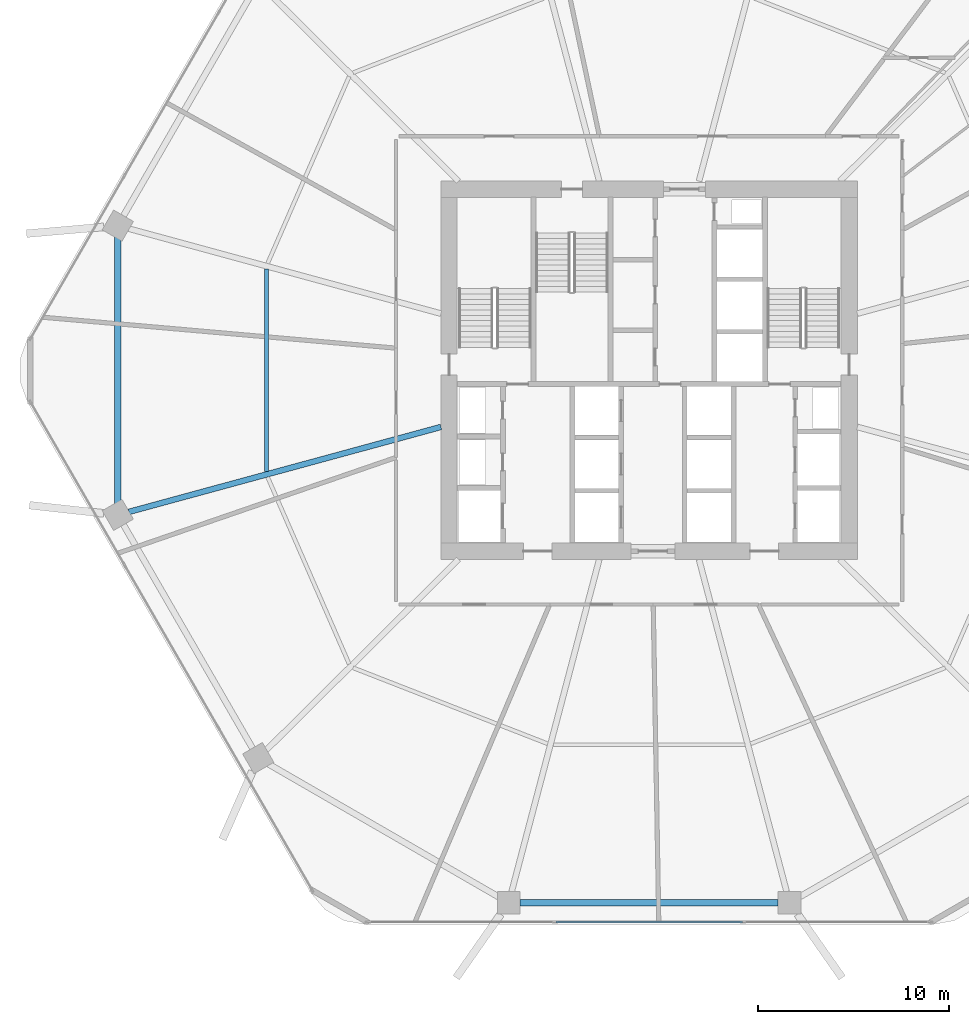
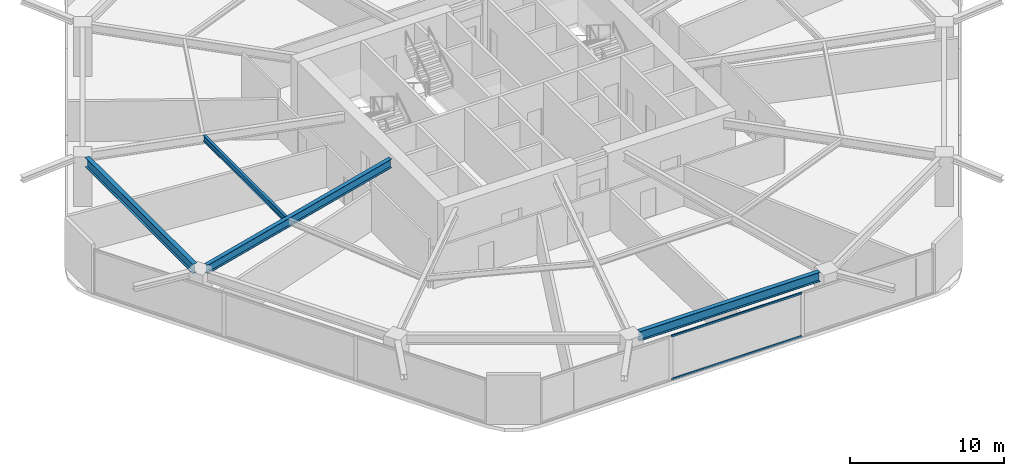
# One storey, part 6 of 25: 4 beams, 2 members, 1 element without a shape of its own.
"""IFC4 building model written with IfcOpenShell, lengths in metres."""

from ifc_helpers import new_model, si_unit, direction, frame, origin, origin_2d, place, context, subcontext, project, spatial, hollow_rectangle, i_section, extrude, material, material_profile, profile_set, type_object, element, aggregate, save


model = new_model("IFC4")

# Units and contexts
model_context = context("Model", 3, precision=1e-05, world=origin(), true_north=direction((0.0, 1.0)))
body_context = subcontext(model_context, "Body", "Model", "MODEL_VIEW")
ifc_project = project(units=[si_unit("LENGTHUNIT", "METRE"), si_unit("AREAUNIT", "SQUARE_METRE"), si_unit("VOLUMEUNIT", "CUBIC_METRE"), si_unit("PLANEANGLEUNIT", "RADIAN"), si_unit("MASSUNIT", "GRAM", prefix="KILO")], contexts=[model_context])

# Site, building, storey
site_placement = place(None, origin())
site = spatial("IfcSite", under=ifc_project, at=site_placement, CompositionType="ELEMENT")
building_placement = place(site_placement, origin())
building = spatial("IfcBuilding", under=site, at=building_placement, Name="Zuhravey Tower", CompositionType="ELEMENT")
storey_placement = place(building_placement, frame((0.0, 0.0, 54.0)))
storey = spatial("IfcBuildingStorey", under=building, at=storey_placement, Name="L13", CompositionType="ELEMENT", Elevation=54.0)

# Curtain wall, members
ifc_material_1 = material(Name="Thermally broken anodised aluminium", Category="aluminium")
curtain_wall_type = type_object("IfcCurtainWallType", Name="School Low-E Unitised Curtain Wall CW1", PredefinedType="NOTDEFINED", material=ifc_material_1)
curtain_wall_placement = place(storey_placement, origin())
curtain_wall = element("IfcCurtainWall", 1, at=curtain_wall_placement, inside=storey, type_object=curtain_wall_type, Name="L13 CW1 CW-L13-F5-1", PredefinedType="NOTDEFINED")
ifc_material_2 = material(Name="Anodised aluminium", Category="aluminium")
ifc_material_profile_1 = material_profile(ifc_material_2, hollow_rectangle(XDim=0.090087890625, YDim=0.14990234375, WallThickness=0.0048828125, at=origin_2d()), Name="ALU-RHS-90x150x5")
ifc_profile_set_1 = profile_set([ifc_material_profile_1], Name="Anodised aluminium")
member_type = type_object("IfcMemberType", Name="Curtain-Wall Transom 90x150", PredefinedType="USERDEFINED", material=ifc_profile_set_1)
member_1_placement = place(storey_placement, frame((40.88818359375, 3.04150390625, 0.044921875), z_axis=(-1.0, 0.0, 0.0), x_axis=(0.0, -1.0, 0.0)))
member_1 = element("IfcMember", 2, at=member_1_placement, type_object=member_type, Name="CW1 transom 2.1", ObjectType="TRANSOM", PredefinedType="USERDEFINED", context=body_context, shape_type="SweptSolid", body=[
    extrude(hollow_rectangle(XDim=0.090087890625, YDim=0.14990234375, WallThickness=0.0048828125, at=origin_2d()), origin(), (0.0, 0.0, 1.0), 9.7763671875),
])
member_2_placement = place(storey_placement, frame((40.88818359375, 3.04150390625, 3.447021484375), z_axis=(-1.0, 0.0, 0.0), x_axis=(0.0, -1.0, 0.0)))
member_2 = element("IfcMember", 3, at=member_2_placement, type_object=member_type, Name="CW1 transom 2.2", ObjectType="TRANSOM", PredefinedType="USERDEFINED", context=body_context, shape_type="SweptSolid", body=[
    extrude(hollow_rectangle(XDim=0.090087890625, YDim=0.14990234375, WallThickness=0.0048828125, at=origin_2d()), origin(), (0.0, 0.0, 1.0), 9.7763671875),
])
aggregate(curtain_wall, [member_1, member_2])

# Beams
ifc_material_3 = material(Name="Steel SM355", Category="steel")
ifc_material_profile_2 = material_profile(ifc_material_3, i_section(OverallWidth=0.320068359375, OverallDepth=0.75, WebThickness=0.013916015625, FlangeThickness=0.02490234375, at=origin_2d()), Name="H-750x320x14x25")
ifc_profile_set_2 = profile_set([ifc_material_profile_2], Name="Steel SM355")
beam_type_1 = type_object("IfcBeamType", Name="Perimeter Ring Beam H750x320", PredefinedType="BEAM", material=ifc_profile_set_2)
beam_1_placement = place(storey_placement, frame((8.11083984375, 38.988525390625, 3.544921875), z_axis=(0.0, -1.0, 0.0), x_axis=(1.0, 0.0, 0.0)))
element("IfcBeam", 4, at=beam_1_placement, inside=storey, type_object=beam_type_1, Name="L13 PB1 BM-L13-PB-06", PredefinedType="BEAM", context=body_context, shape_type="SweptSolid", body=[
    extrude(i_section(OverallWidth=0.320068359375, OverallDepth=0.75, WebThickness=0.013916015625, FlangeThickness=0.02490234375, at=origin_2d()), origin(), (0.0, 0.0, 1.0), 13.97705078125),
])
beam_2_placement = place(storey_placement, frame((29.23291015625, 4.051513671875, 3.544921875), z_axis=(1.0, 0.0, 0.0), x_axis=(0.0, 1.0, 0.0)))
element("IfcBeam", 5, at=beam_2_placement, inside=storey, type_object=beam_type_1, Name="L13 PB1 BM-L13-PB-09", PredefinedType="BEAM", context=body_context, shape_type="SweptSolid", body=[
    extrude(i_section(OverallWidth=0.320068359375, OverallDepth=0.75, WebThickness=0.013916015625, FlangeThickness=0.02490234375, at=origin_2d()), origin(), (0.0, 0.0, 1.0), 13.5341796875),
])
ifc_material_profile_3 = material_profile(ifc_material_3, i_section(OverallWidth=0.300048828125, OverallDepth=0.699951171875, WebThickness=0.012939453125, FlangeThickness=0.02392578125, at=origin_2d()), Name="H-700x300x13x24")
ifc_profile_set_3 = profile_set([ifc_material_profile_3], Name="Steel SM355")
beam_type_2 = type_object("IfcBeamType", Name="Radial Primary Girder H700x300", PredefinedType="BEAM", material=ifc_profile_set_3)
beam_3_placement = place(storey_placement, frame((25.072021484375, 29.025390625, 3.570068359375), z_axis=(-0.964892480455, -0.26264520015, 0.0), x_axis=(0.26264520015, -0.964892480455, 0.0)))
element("IfcBeam", 6, at=beam_3_placement, inside=storey, type_object=beam_type_2, Name="L13 RG1 BM-L13-RAD-07", PredefinedType="BEAM", context=body_context, shape_type="SweptSolid", body=[
    extrude(i_section(OverallWidth=0.300048828125, OverallDepth=0.699951171875, WebThickness=0.012939453125, FlangeThickness=0.02392578125, at=origin_2d()), origin(), (0.0, 0.0, 1.0), 16.975341796875),
])
ifc_material_profile_4 = material_profile(ifc_material_3, i_section(OverallWidth=0.199951171875, OverallDepth=0.449951171875, WebThickness=0.009033203125, FlangeThickness=0.013916015625, at=origin_2d()), Name="H-450x200x9x14")
ifc_profile_set_4 = profile_set([ifc_material_profile_4], Name="Steel SM355")
beam_type_3 = type_object("IfcBeamType", Name="Secondary Floor Joist H450x200", PredefinedType="JOIST", material=ifc_profile_set_4)
beam_4_placement = place(storey_placement, frame((15.9130859375, 37.313720703125, 3.695068359375), z_axis=(0.0, -1.0, 0.0), x_axis=(1.0, 0.0, 0.0)))
element("IfcBeam", 7, at=beam_4_placement, inside=storey, type_object=beam_type_3, Name="L13 SJ1 BM-L13-SJ-06-1", PredefinedType="JOIST", context=body_context, shape_type="SweptSolid", body=[
    extrude(i_section(OverallWidth=0.199951171875, OverallDepth=0.449951171875, WebThickness=0.009033203125, FlangeThickness=0.013916015625, at=origin_2d()), origin(), (0.0, 0.0, 1.0), 10.62744140625),
])

save(model, "model.ifc")
